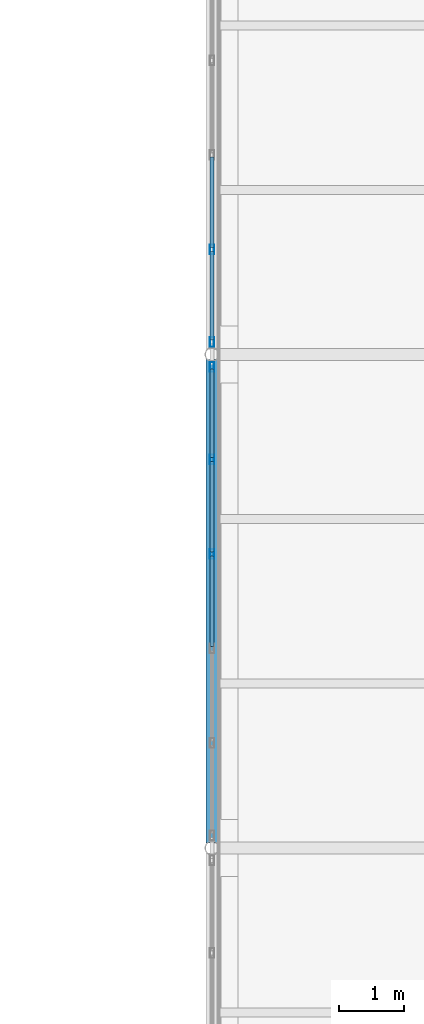
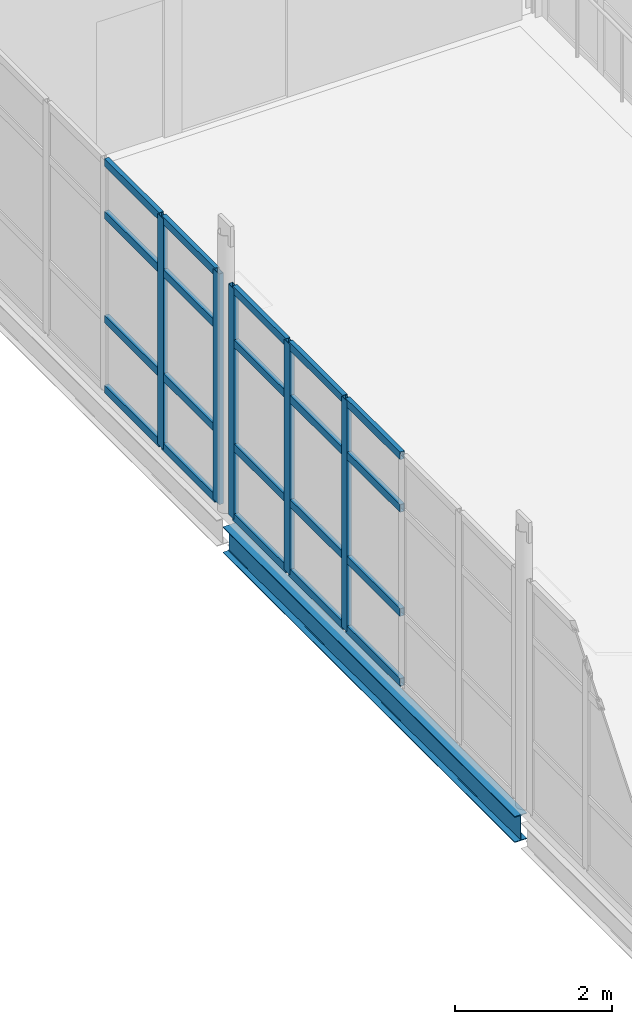
# One storey, part 72 of 166: 25 members, 1 beam, 2 elements without a shape of their own.
"""IFC4 building model written with IfcOpenShell, lengths in metres."""

from ifc_helpers import new_model, si_unit, direction, frame, origin, origin_2d, place, context, subcontext, project, spatial, hollow_rectangle, i_section, extrude, material, material_profile, profile_set, type_object, element, aggregate, save


model = new_model("IFC4")

# Units and contexts
model_context = context("Model", 3, precision=1e-05, world=origin(), true_north=direction((0.0, 1.0)))
body_context = subcontext(model_context, "Body", "Model", "MODEL_VIEW")
ifc_project = project(units=[si_unit("LENGTHUNIT", "METRE"), si_unit("AREAUNIT", "SQUARE_METRE"), si_unit("VOLUMEUNIT", "CUBIC_METRE"), si_unit("PLANEANGLEUNIT", "RADIAN"), si_unit("MASSUNIT", "GRAM", prefix="KILO")], contexts=[model_context])

# Site, building, storey
site_placement = place(None, origin())
site = spatial("IfcSite", under=ifc_project, at=site_placement, CompositionType="ELEMENT")
building_placement = place(site_placement, origin())
building = spatial("IfcBuilding", under=site, at=building_placement, Name="Caisbarro Railhouse Central Library", CompositionType="ELEMENT")
storey_placement = place(building_placement, frame((0.0, 0.0, 9.360107421875)))
storey = spatial("IfcBuildingStorey", under=building, at=storey_placement, Name="L02", CompositionType="ELEMENT", Elevation=9.360107421875)

# Beam
ifc_material_1 = material(Name="Steel ASTM A572 Grade 50", Category="steel")
ifc_material_profile_1 = material_profile(ifc_material_1, i_section(OverallWidth=0.177978515625, OverallDepth=0.406982421875, WebThickness=0.0078125, FlangeThickness=0.0126953125, FilletRadius=0.01611328125, at=origin_2d()), Name="W410X60.0")
ifc_profile_set_1 = profile_set([ifc_material_profile_1], Name="Steel ASTM A572 Grade 50")
beam_type = type_object("IfcBeamType", Name="BM-G10", PredefinedType="BEAM", material=ifc_profile_set_1)
beam_placement = place(storey_placement, frame((54.0, 68.47998046875, -0.403564453125), z_axis=(0.0, 1.0, 0.0), x_axis=(-1.0, 0.0, 0.0)))
element("IfcBeam", 1, at=beam_placement, inside=storey, type_object=beam_type, Name="G10 beam L02 #1721", PredefinedType="BEAM", context=body_context, shape_type="SweptSolid", body=[
    extrude(i_section(OverallWidth=0.177978515625, OverallDepth=0.406982421875, WebThickness=0.0078125, FlangeThickness=0.0126953125, FilletRadius=0.01611328125, at=origin_2d()), origin(), (0.0, 0.0, 1.0), 7.43994140625),
])

# Curtain wall, members
ifc_material_2 = material(Name="Anodised architectural aluminium", Category="aluminium")
curtain_wall_type = type_object("IfcCurtainWallType", Name="CW-CW03", PredefinedType="NOTDEFINED", material=ifc_material_2)
curtain_wall_1_placement = place(storey_placement, origin())
curtain_wall_1 = element("IfcCurtainWall", 2, at=curtain_wall_1_placement, inside=storey, type_object=curtain_wall_type, Name="CW03 curtain wall L02 #204", PredefinedType="NOTDEFINED")
ifc_material_profile_2 = material_profile(ifc_material_2, hollow_rectangle(XDim=0.06494140625, YDim=0.14990234375, WallThickness=0.00390625, at=origin_2d()), Name="ALU-MUL-65X150")
ifc_profile_set_2 = profile_set([ifc_material_profile_2], Name="Anodised architectural aluminium")
member_type_1 = type_object("IfcMemberType", Name="CWM-M02", PredefinedType="MULLION", material=ifc_profile_set_2)
member_1_placement = place(storey_placement, frame((54.0, 72.927978515625, 0.0), z_axis=(0.0, 0.0, 1.0), x_axis=(-1.0, 0.0, 0.0)))
member_1 = element("IfcMember", 3, at=member_1_placement, type_object=member_type_1, Name="CW03 mullion 4", PredefinedType="MULLION", context=body_context, shape_type="SweptSolid", body=[
    extrude(hollow_rectangle(XDim=0.06494140625, YDim=0.14990234375, WallThickness=0.00390625, at=origin_2d()), origin(), (0.0, 0.0, 1.0), 3.58984375),
])
member_2_placement = place(storey_placement, frame((54.0, 74.384033203125, 0.0), z_axis=(0.0, 0.0, 1.0), x_axis=(-1.0, 0.0, 0.0)))
member_2 = element("IfcMember", 4, at=member_2_placement, type_object=member_type_1, Name="CW03 mullion 5", PredefinedType="MULLION", context=body_context, shape_type="SweptSolid", body=[
    extrude(hollow_rectangle(XDim=0.06494140625, YDim=0.14990234375, WallThickness=0.00390625, at=origin_2d()), origin(), (0.0, 0.0, 1.0), 3.58984375),
])
member_3_placement = place(storey_placement, frame((54.0, 75.8076171875, 0.0), z_axis=(0.0, 0.0, 1.0), x_axis=(-1.0, 0.0, 0.0)))
member_3 = element("IfcMember", 5, at=member_3_placement, type_object=member_type_1, Name="CW03 mullion 6", PredefinedType="MULLION", context=body_context, shape_type="SweptSolid", body=[
    extrude(hollow_rectangle(XDim=0.06494140625, YDim=0.14990234375, WallThickness=0.00390625, at=origin_2d()), origin(), (0.0, 0.0, 1.0), 3.58984375),
])

curtain_wall_2_placement = place(storey_placement, origin())
curtain_wall_2 = element("IfcCurtainWall", 6, at=curtain_wall_2_placement, inside=storey, type_object=curtain_wall_type, Name="CW03 curtain wall L02 #206", PredefinedType="NOTDEFINED")
member_4_placement = place(storey_placement, frame((54.0, 76.1923828125, 0.0), z_axis=(0.0, 0.0, 1.0), x_axis=(-1.0, 0.0, 0.0)))
member_4 = element("IfcMember", 7, at=member_4_placement, type_object=member_type_1, Name="CW03 mullion 1", PredefinedType="MULLION", context=body_context, shape_type="SweptSolid", body=[
    extrude(hollow_rectangle(XDim=0.06494140625, YDim=0.14990234375, WallThickness=0.00390625, at=origin_2d()), origin(), (0.0, 0.0, 1.0), 3.58984375),
])
member_5_placement = place(storey_placement, frame((54.0, 77.615966796875, 0.0), z_axis=(0.0, 0.0, 1.0), x_axis=(-1.0, 0.0, 0.0)))
member_5 = element("IfcMember", 8, at=member_5_placement, type_object=member_type_1, Name="CW03 mullion 2", PredefinedType="MULLION", context=body_context, shape_type="SweptSolid", body=[
    extrude(hollow_rectangle(XDim=0.06494140625, YDim=0.14990234375, WallThickness=0.00390625, at=origin_2d()), origin(), (0.0, 0.0, 1.0), 3.58984375),
])

# Member
ifc_material_profile_3 = material_profile(ifc_material_2, hollow_rectangle(XDim=0.06494140625, YDim=0.1201171875, WallThickness=0.00341796875, at=origin_2d()), Name="ALU-TRN-65X120")
ifc_profile_set_3 = profile_set([ifc_material_profile_3], Name="Anodised architectural aluminium")
member_type_2 = type_object("IfcMemberType", Name="CWT-T02", PredefinedType="USERDEFINED", material=ifc_profile_set_3)
member_6_placement = place(storey_placement, frame((54.0, 71.50439453125, 0.032470703125), z_axis=(0.0, 1.0, 0.0), x_axis=(-1.0, 0.0, 0.0)))
member_6 = element("IfcMember", 9, at=member_6_placement, type_object=member_type_2, Name="CW03 transom 3.1", ObjectType="TRANSOM", PredefinedType="USERDEFINED", context=body_context, shape_type="SweptSolid", body=[
    extrude(hollow_rectangle(XDim=0.06494140625, YDim=0.1201171875, WallThickness=0.00341796875, at=origin_2d()), origin(), (0.0, 0.0, 1.0), 1.39111328125),
])

member_7_placement = place(storey_placement, frame((54.0, 71.50439453125, 1.119873046875), z_axis=(0.0, 1.0, 0.0), x_axis=(-1.0, 0.0, 0.0)))
member_7 = element("IfcMember", 10, at=member_7_placement, type_object=member_type_2, Name="CW03 transom 3.2", ObjectType="TRANSOM", PredefinedType="USERDEFINED", context=body_context, shape_type="SweptSolid", body=[
    extrude(hollow_rectangle(XDim=0.06494140625, YDim=0.1201171875, WallThickness=0.00341796875, at=origin_2d()), origin(), (0.0, 0.0, 1.0), 1.39111328125),
])

member_8_placement = place(storey_placement, frame((54.0, 71.50439453125, 2.739990234375), z_axis=(0.0, 1.0, 0.0), x_axis=(-1.0, 0.0, 0.0)))
member_8 = element("IfcMember", 11, at=member_8_placement, type_object=member_type_2, Name="CW03 transom 3.3", ObjectType="TRANSOM", PredefinedType="USERDEFINED", context=body_context, shape_type="SweptSolid", body=[
    extrude(hollow_rectangle(XDim=0.06494140625, YDim=0.1201171875, WallThickness=0.00341796875, at=origin_2d()), origin(), (0.0, 0.0, 1.0), 1.39111328125),
])

member_9_placement = place(storey_placement, frame((54.0, 71.50439453125, 3.557373046875), z_axis=(0.0, 1.0, 0.0), x_axis=(-1.0, 0.0, 0.0)))
member_9 = element("IfcMember", 12, at=member_9_placement, type_object=member_type_2, Name="CW03 transom 3.4", ObjectType="TRANSOM", PredefinedType="USERDEFINED", context=body_context, shape_type="SweptSolid", body=[
    extrude(hollow_rectangle(XDim=0.06494140625, YDim=0.1201171875, WallThickness=0.00341796875, at=origin_2d()), origin(), (0.0, 0.0, 1.0), 1.39111328125),
])

member_10_placement = place(storey_placement, frame((54.0, 72.96044921875, 0.032470703125), z_axis=(0.0, 1.0, 0.0), x_axis=(-1.0, 0.0, 0.0)))
member_10 = element("IfcMember", 13, at=member_10_placement, type_object=member_type_2, Name="CW03 transom 4.1", ObjectType="TRANSOM", PredefinedType="USERDEFINED", context=body_context, shape_type="SweptSolid", body=[
    extrude(hollow_rectangle(XDim=0.06494140625, YDim=0.1201171875, WallThickness=0.00341796875, at=origin_2d()), origin(), (0.0, 0.0, 1.0), 1.39111328125),
])

member_11_placement = place(storey_placement, frame((54.0, 72.96044921875, 1.119873046875), z_axis=(0.0, 1.0, 0.0), x_axis=(-1.0, 0.0, 0.0)))
member_11 = element("IfcMember", 14, at=member_11_placement, type_object=member_type_2, Name="CW03 transom 4.2", ObjectType="TRANSOM", PredefinedType="USERDEFINED", context=body_context, shape_type="SweptSolid", body=[
    extrude(hollow_rectangle(XDim=0.06494140625, YDim=0.1201171875, WallThickness=0.00341796875, at=origin_2d()), origin(), (0.0, 0.0, 1.0), 1.39111328125),
])

member_12_placement = place(storey_placement, frame((54.0, 72.96044921875, 2.739990234375), z_axis=(0.0, 1.0, 0.0), x_axis=(-1.0, 0.0, 0.0)))
member_12 = element("IfcMember", 15, at=member_12_placement, type_object=member_type_2, Name="CW03 transom 4.3", ObjectType="TRANSOM", PredefinedType="USERDEFINED", context=body_context, shape_type="SweptSolid", body=[
    extrude(hollow_rectangle(XDim=0.06494140625, YDim=0.1201171875, WallThickness=0.00341796875, at=origin_2d()), origin(), (0.0, 0.0, 1.0), 1.39111328125),
])

member_13_placement = place(storey_placement, frame((54.0, 72.96044921875, 3.557373046875), z_axis=(0.0, 1.0, 0.0), x_axis=(-1.0, 0.0, 0.0)))
member_13 = element("IfcMember", 16, at=member_13_placement, type_object=member_type_2, Name="CW03 transom 4.4", ObjectType="TRANSOM", PredefinedType="USERDEFINED", context=body_context, shape_type="SweptSolid", body=[
    extrude(hollow_rectangle(XDim=0.06494140625, YDim=0.1201171875, WallThickness=0.00341796875, at=origin_2d()), origin(), (0.0, 0.0, 1.0), 1.39111328125),
])

member_14_placement = place(storey_placement, frame((54.0, 74.41650390625, 0.032470703125), z_axis=(0.0, 1.0, 0.0), x_axis=(-1.0, 0.0, 0.0)))
member_14 = element("IfcMember", 17, at=member_14_placement, type_object=member_type_2, Name="CW03 transom 5.1", ObjectType="TRANSOM", PredefinedType="USERDEFINED", context=body_context, shape_type="SweptSolid", body=[
    extrude(hollow_rectangle(XDim=0.06494140625, YDim=0.1201171875, WallThickness=0.00341796875, at=origin_2d()), origin(), (0.0, 0.0, 1.0), 1.3583984375),
])

member_15_placement = place(storey_placement, frame((54.0, 74.41650390625, 1.119873046875), z_axis=(0.0, 1.0, 0.0), x_axis=(-1.0, 0.0, 0.0)))
member_15 = element("IfcMember", 18, at=member_15_placement, type_object=member_type_2, Name="CW03 transom 5.2", ObjectType="TRANSOM", PredefinedType="USERDEFINED", context=body_context, shape_type="SweptSolid", body=[
    extrude(hollow_rectangle(XDim=0.06494140625, YDim=0.1201171875, WallThickness=0.00341796875, at=origin_2d()), origin(), (0.0, 0.0, 1.0), 1.3583984375),
])

member_16_placement = place(storey_placement, frame((54.0, 74.41650390625, 2.739990234375), z_axis=(0.0, 1.0, 0.0), x_axis=(-1.0, 0.0, 0.0)))
member_16 = element("IfcMember", 19, at=member_16_placement, type_object=member_type_2, Name="CW03 transom 5.3", ObjectType="TRANSOM", PredefinedType="USERDEFINED", context=body_context, shape_type="SweptSolid", body=[
    extrude(hollow_rectangle(XDim=0.06494140625, YDim=0.1201171875, WallThickness=0.00341796875, at=origin_2d()), origin(), (0.0, 0.0, 1.0), 1.3583984375),
])

member_17_placement = place(storey_placement, frame((54.0, 74.41650390625, 3.557373046875), z_axis=(0.0, 1.0, 0.0), x_axis=(-1.0, 0.0, 0.0)))
member_17 = element("IfcMember", 20, at=member_17_placement, type_object=member_type_2, Name="CW03 transom 5.4", ObjectType="TRANSOM", PredefinedType="USERDEFINED", context=body_context, shape_type="SweptSolid", body=[
    extrude(hollow_rectangle(XDim=0.06494140625, YDim=0.1201171875, WallThickness=0.00341796875, at=origin_2d()), origin(), (0.0, 0.0, 1.0), 1.3583984375),
])

aggregate(curtain_wall_1, [member_1, member_2, member_3, member_6, member_7, member_8, member_9, member_10, member_11, member_12, member_13, member_14, member_15, member_16, member_17])

member_18_placement = place(storey_placement, frame((54.0, 76.22509765625, 0.032470703125), z_axis=(0.0, 1.0, 0.0), x_axis=(-1.0, 0.0, 0.0)))
member_18 = element("IfcMember", 21, at=member_18_placement, type_object=member_type_2, Name="CW03 transom 1.1", ObjectType="TRANSOM", PredefinedType="USERDEFINED", context=body_context, shape_type="SweptSolid", body=[
    extrude(hollow_rectangle(XDim=0.06494140625, YDim=0.1201171875, WallThickness=0.00341796875, at=origin_2d()), origin(), (0.0, 0.0, 1.0), 1.3583984375),
])

member_19_placement = place(storey_placement, frame((54.0, 76.22509765625, 1.119873046875), z_axis=(0.0, 1.0, 0.0), x_axis=(-1.0, 0.0, 0.0)))
member_19 = element("IfcMember", 22, at=member_19_placement, type_object=member_type_2, Name="CW03 transom 1.2", ObjectType="TRANSOM", PredefinedType="USERDEFINED", context=body_context, shape_type="SweptSolid", body=[
    extrude(hollow_rectangle(XDim=0.06494140625, YDim=0.1201171875, WallThickness=0.00341796875, at=origin_2d()), origin(), (0.0, 0.0, 1.0), 1.3583984375),
])

member_20_placement = place(storey_placement, frame((54.0, 76.22509765625, 2.739990234375), z_axis=(0.0, 1.0, 0.0), x_axis=(-1.0, 0.0, 0.0)))
member_20 = element("IfcMember", 23, at=member_20_placement, type_object=member_type_2, Name="CW03 transom 1.3", ObjectType="TRANSOM", PredefinedType="USERDEFINED", context=body_context, shape_type="SweptSolid", body=[
    extrude(hollow_rectangle(XDim=0.06494140625, YDim=0.1201171875, WallThickness=0.00341796875, at=origin_2d()), origin(), (0.0, 0.0, 1.0), 1.3583984375),
])

member_21_placement = place(storey_placement, frame((54.0, 76.22509765625, 3.557373046875), z_axis=(0.0, 1.0, 0.0), x_axis=(-1.0, 0.0, 0.0)))
member_21 = element("IfcMember", 24, at=member_21_placement, type_object=member_type_2, Name="CW03 transom 1.4", ObjectType="TRANSOM", PredefinedType="USERDEFINED", context=body_context, shape_type="SweptSolid", body=[
    extrude(hollow_rectangle(XDim=0.06494140625, YDim=0.1201171875, WallThickness=0.00341796875, at=origin_2d()), origin(), (0.0, 0.0, 1.0), 1.3583984375),
])

member_22_placement = place(storey_placement, frame((54.0, 77.6484375, 0.032470703125), z_axis=(0.0, 1.0, 0.0), x_axis=(-1.0, 0.0, 0.0)))
member_22 = element("IfcMember", 25, at=member_22_placement, type_object=member_type_2, Name="CW03 transom 2.1", ObjectType="TRANSOM", PredefinedType="USERDEFINED", context=body_context, shape_type="SweptSolid", body=[
    extrude(hollow_rectangle(XDim=0.06494140625, YDim=0.1201171875, WallThickness=0.00341796875, at=origin_2d()), origin(), (0.0, 0.0, 1.0), 1.39111328125),
])

member_23_placement = place(storey_placement, frame((54.0, 77.6484375, 1.119873046875), z_axis=(0.0, 1.0, 0.0), x_axis=(-1.0, 0.0, 0.0)))
member_23 = element("IfcMember", 26, at=member_23_placement, type_object=member_type_2, Name="CW03 transom 2.2", ObjectType="TRANSOM", PredefinedType="USERDEFINED", context=body_context, shape_type="SweptSolid", body=[
    extrude(hollow_rectangle(XDim=0.06494140625, YDim=0.1201171875, WallThickness=0.00341796875, at=origin_2d()), origin(), (0.0, 0.0, 1.0), 1.39111328125),
])

member_24_placement = place(storey_placement, frame((54.0, 77.6484375, 2.739990234375), z_axis=(0.0, 1.0, 0.0), x_axis=(-1.0, 0.0, 0.0)))
member_24 = element("IfcMember", 27, at=member_24_placement, type_object=member_type_2, Name="CW03 transom 2.3", ObjectType="TRANSOM", PredefinedType="USERDEFINED", context=body_context, shape_type="SweptSolid", body=[
    extrude(hollow_rectangle(XDim=0.06494140625, YDim=0.1201171875, WallThickness=0.00341796875, at=origin_2d()), origin(), (0.0, 0.0, 1.0), 1.39111328125),
])

member_25_placement = place(storey_placement, frame((54.0, 77.6484375, 3.557373046875), z_axis=(0.0, 1.0, 0.0), x_axis=(-1.0, 0.0, 0.0)))
member_25 = element("IfcMember", 28, at=member_25_placement, type_object=member_type_2, Name="CW03 transom 2.4", ObjectType="TRANSOM", PredefinedType="USERDEFINED", context=body_context, shape_type="SweptSolid", body=[
    extrude(hollow_rectangle(XDim=0.06494140625, YDim=0.1201171875, WallThickness=0.00341796875, at=origin_2d()), origin(), (0.0, 0.0, 1.0), 1.39111328125),
])

aggregate(curtain_wall_2, [member_4, member_5, member_18, member_19, member_20, member_21, member_22, member_23, member_24, member_25])

save(model, "model.ifc")
